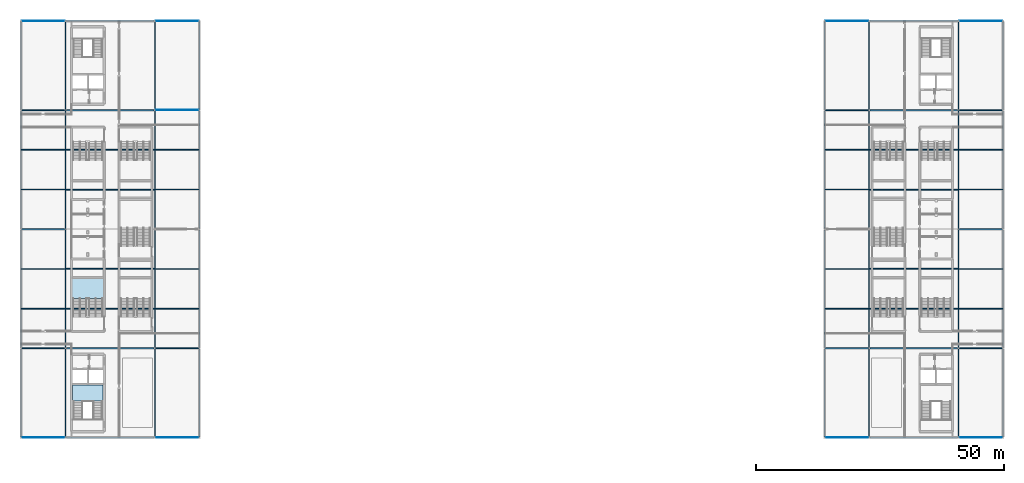
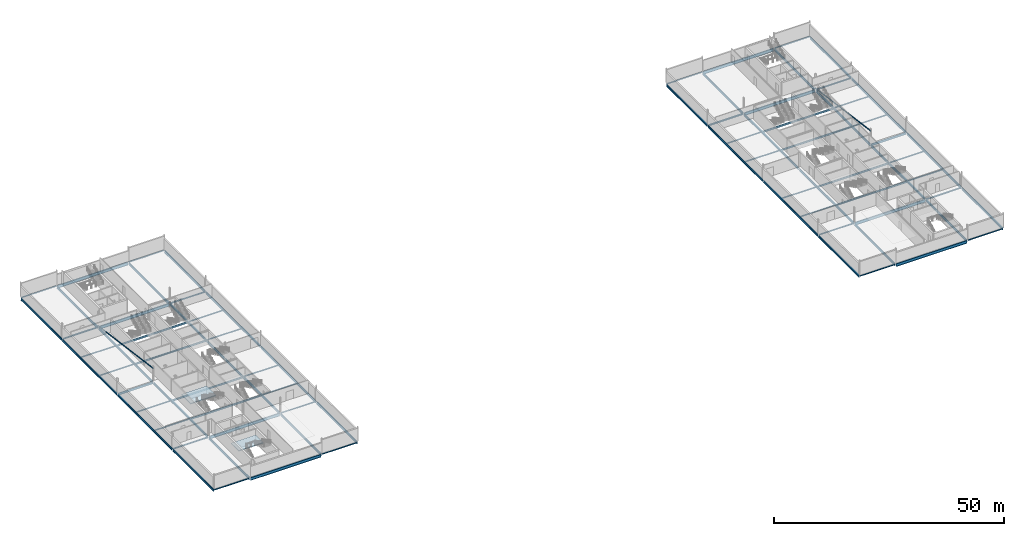
# One storey, part 12 of 30: 82 beams, 2 members, 2 slabs, 2 elements without a shape of their own.
"""IFC4 building model written with IfcOpenShell, lengths in metres."""

from ifc_helpers import new_model, si_unit, direction, frame, origin, origin_2d, place, context, subcontext, project, spatial, polyline, hollow_rectangle, hollow_circle, i_section, u_section, outline, extrude, material, layer, layer_set, material_profile, profile_set, type_object, element, aggregate, save


model = new_model("IFC4")

# Units and contexts
model_context = context("Model", 3, precision=1e-05, world=origin(), true_north=direction((0.0, 1.0)))
body_context = subcontext(model_context, "Body", "Model", "MODEL_VIEW")
ifc_project = project(units=[si_unit("LENGTHUNIT", "METRE"), si_unit("AREAUNIT", "SQUARE_METRE"), si_unit("VOLUMEUNIT", "CUBIC_METRE"), si_unit("PLANEANGLEUNIT", "RADIAN"), si_unit("MASSUNIT", "GRAM", prefix="KILO")], contexts=[model_context])

# Site, building, storey
site_placement = place(None, origin())
site = spatial("IfcSite", under=ifc_project, at=site_placement, CompositionType="ELEMENT")
building_placement = place(site_placement, origin())
building = spatial("IfcBuilding", under=site, at=building_placement, Name="Kisiwana Market Hall", CompositionType="ELEMENT")
storey_placement = place(building_placement, frame((0.0, 0.0, 54.0)))
storey = spatial("IfcBuildingStorey", under=building, at=storey_placement, Name="L12", CompositionType="ELEMENT", Elevation=54.0)

# Beams
ifc_material_1 = material(Name="Steel S355", Category="steel")
ifc_material_profile_1 = material_profile(ifc_material_1, i_section(OverallWidth=0.260009765625, OverallDepth=0.260009765625, WebThickness=0.010009765625, FlangeThickness=0.017578125, FilletRadius=0.02392578125, at=origin_2d()), Name="HEB 260")
ifc_profile_set_1 = profile_set([ifc_material_profile_1], Name="Steel S355")
beam_type_1 = type_object("IfcBeamType", Name="BM-GIRD-HEB260", PredefinedType="BEAM", material=ifc_profile_set_1)
beam_1_placement = place(storey_placement, frame((162.12548828125, 36.0, -0.375), z_axis=(1.0, 0.0, 0.0), x_axis=(0.0, 1.0, 0.0)))
element("IfcBeam", 1, at=beam_1_placement, inside=storey, type_object=beam_type_1, Name="Floor beam B-2605", PredefinedType="BEAM", context=body_context, shape_type="SweptSolid", body=[
    extrude(i_section(OverallWidth=0.260009765625, OverallDepth=0.260009765625, WebThickness=0.010009765625, FlangeThickness=0.017578125, FilletRadius=0.02392578125, at=origin_2d()), origin(), (0.0, 0.0, 1.0), 8.728515625),
])
ifc_material_2 = material(Name="Steel S355", Category="steel")
ifc_material_profile_2 = material_profile(ifc_material_2, i_section(OverallWidth=0.209228515625, OverallDepth=0.533203125, WebThickness=0.010009765625, FlangeThickness=0.015625, at=origin_2d()), Name="UB 533x210x92")
ifc_profile_set_2 = profile_set([ifc_material_profile_2], Name="Steel S355")
beam_type_2 = type_object("IfcBeamType", Name="BM-GIRD-UB533", PredefinedType="BEAM", material=ifc_profile_set_2)
for number, where, z_axis, x_axis, name in (
    (2, (0.12548828125, 60.0, -0.511474609375), (1.0, 0.0, 0.0), (0.0, 1.0, 0.0), "Primary girder B-2554"),
    (3, (189.14599609375, 60.0, -0.511474609375), (1.0, 0.0, 0.0), (0.0, 1.0, 0.0), "Primary girder B-2555"),
):
    element("IfcBeam", number, at=place(storey_placement, frame(where, z_axis=z_axis, x_axis=x_axis)), inside=storey, type_object=beam_type_2, Name=name, PredefinedType="BEAM", context=body_context, shape_type="SweptSolid", body=[
        extrude(i_section(OverallWidth=0.209228515625, OverallDepth=0.533203125, WebThickness=0.010009765625, FlangeThickness=0.015625, at=origin_2d()), origin(), (0.0, 0.0, 1.0), 8.728515625),
    ])
ifc_material_3 = material(Name="Steel S355", Category="steel")
ifc_material_profile_3 = material_profile(ifc_material_3, i_section(OverallWidth=0.22900390625, OverallDepth=0.6123046875, WebThickness=0.011962890625, FlangeThickness=0.01953125, at=origin_2d()), Name="UB 610x229x125")
ifc_profile_set_3 = profile_set([ifc_material_profile_3], Name="Steel S355")
beam_type_3 = type_object("IfcBeamType", Name="BM-GIRD-UB610H", PredefinedType="BEAM", material=ifc_profile_set_3)
beam_2_placement = place(storey_placement, frame((0.0, 18.12939453125, -0.551025390625), z_axis=(0.0, 1.0, 0.0), x_axis=(-1.0, 0.0, 0.0)))
element("IfcBeam", 4, at=beam_2_placement, inside=storey, type_object=beam_type_3, Name="Floor beam B-2620", PredefinedType="BEAM", context=body_context, shape_type="SweptSolid", body=[
    extrude(i_section(OverallWidth=0.22900390625, OverallDepth=0.6123046875, WebThickness=0.011962890625, FlangeThickness=0.01953125, at=origin_2d()), origin(), (0.0, 0.0, 1.0), 17.7412109375),
])
for number, where, z_axis, x_axis, name in (
    (5, (0.0, 36.12939453125, -0.551025390625), (0.0, 1.0, 0.0), (-1.0, 0.0, 0.0), "Floor beam B-2621"),
    (6, (0.0, 60.12939453125, -0.551025390625), (0.0, 1.0, 0.0), (-1.0, 0.0, 0.0), "Floor beam B-2622"),
):
    element("IfcBeam", number, at=place(storey_placement, frame(where, z_axis=z_axis, x_axis=x_axis)), inside=storey, type_object=beam_type_3, Name=name, PredefinedType="BEAM", context=body_context, shape_type="SweptSolid", body=[
        extrude(i_section(OverallWidth=0.22900390625, OverallDepth=0.6123046875, WebThickness=0.011962890625, FlangeThickness=0.01953125, at=origin_2d()), origin(), (0.0, 0.0, 1.0), 23.7412109375),
    ])
beam_3_placement = place(storey_placement, frame((0.0, 84.12939453125, -0.551025390625), z_axis=(0.0, 1.0, 0.0), x_axis=(-1.0, 0.0, 0.0)))
element("IfcBeam", 7, at=beam_3_placement, inside=storey, type_object=beam_type_3, Name="Floor beam B-2623", PredefinedType="BEAM", context=body_context, shape_type="SweptSolid", body=[
    extrude(i_section(OverallWidth=0.22900390625, OverallDepth=0.6123046875, WebThickness=0.011962890625, FlangeThickness=0.01953125, at=origin_2d()), origin(), (0.0, 0.0, 1.0), 17.7412109375),
])
for number, where, z_axis, x_axis, name in (
    (8, (27.0, 36.14599609375, -0.551025390625), (0.0, 1.0, 0.0), (-1.0, 0.0, 0.0), "Floor beam B-2624"),
    (9, (27.0, 60.14599609375, -0.551025390625), (0.0, 1.0, 0.0), (-1.0, 0.0, 0.0), "Floor beam B-2625"),
):
    element("IfcBeam", number, at=place(storey_placement, frame(where, z_axis=z_axis, x_axis=x_axis)), inside=storey, type_object=beam_type_3, Name=name, PredefinedType="BEAM", context=body_context, shape_type="SweptSolid", body=[
        extrude(i_section(OverallWidth=0.22900390625, OverallDepth=0.6123046875, WebThickness=0.011962890625, FlangeThickness=0.01953125, at=origin_2d()), origin(), (0.0, 0.0, 1.0), 23.7080078125),
    ])
for number, where, z_axis, x_axis, name in (
    (10, (36.0, 18.12939453125, -0.551025390625), (0.0, 1.0, 0.0), (-1.0, 0.0, 0.0), "Floor beam B-2626"),
    (11, (36.0, 84.12939453125, -0.551025390625), (0.0, 1.0, 0.0), (-1.0, 0.0, 0.0), "Floor beam B-2627"),
    (12, (162.0, 18.12939453125, -0.551025390625), (0.0, 1.0, 0.0), (-1.0, 0.0, 0.0), "Floor beam B-2628"),
    (13, (162.0, 84.12939453125, -0.551025390625), (0.0, 1.0, 0.0), (-1.0, 0.0, 0.0), "Floor beam B-2629"),
):
    element("IfcBeam", number, at=place(storey_placement, frame(where, z_axis=z_axis, x_axis=x_axis)), inside=storey, type_object=beam_type_3, Name=name, PredefinedType="BEAM", context=body_context, shape_type="SweptSolid", body=[
        extrude(i_section(OverallWidth=0.22900390625, OverallDepth=0.6123046875, WebThickness=0.011962890625, FlangeThickness=0.01953125, at=origin_2d()), origin(), (0.0, 0.0, 1.0), 17.7412109375),
    ])
for number, where, z_axis, x_axis, name in (
    (14, (171.0, 36.14599609375, -0.551025390625), (0.0, 1.0, 0.0), (-1.0, 0.0, 0.0), "Floor beam B-2630"),
    (15, (171.0, 60.14599609375, -0.551025390625), (0.0, 1.0, 0.0), (-1.0, 0.0, 0.0), "Floor beam B-2631"),
):
    element("IfcBeam", number, at=place(storey_placement, frame(where, z_axis=z_axis, x_axis=x_axis)), inside=storey, type_object=beam_type_3, Name=name, PredefinedType="BEAM", context=body_context, shape_type="SweptSolid", body=[
        extrude(i_section(OverallWidth=0.22900390625, OverallDepth=0.6123046875, WebThickness=0.011962890625, FlangeThickness=0.01953125, at=origin_2d()), origin(), (0.0, 0.0, 1.0), 23.7080078125),
    ])
beam_4_placement = place(storey_placement, frame((198.0, 18.12939453125, -0.551025390625), z_axis=(0.0, 1.0, 0.0), x_axis=(-1.0, 0.0, 0.0)))
element("IfcBeam", 16, at=beam_4_placement, inside=storey, type_object=beam_type_3, Name="Floor beam B-2632", PredefinedType="BEAM", context=body_context, shape_type="SweptSolid", body=[
    extrude(i_section(OverallWidth=0.22900390625, OverallDepth=0.6123046875, WebThickness=0.011962890625, FlangeThickness=0.01953125, at=origin_2d()), origin(), (0.0, 0.0, 1.0), 17.7412109375),
])
for number, where, z_axis, x_axis, name in (
    (17, (198.0, 36.12939453125, -0.551025390625), (0.0, 1.0, 0.0), (-1.0, 0.0, 0.0), "Floor beam B-2633"),
    (18, (198.0, 60.12939453125, -0.551025390625), (0.0, 1.0, 0.0), (-1.0, 0.0, 0.0), "Floor beam B-2634"),
):
    element("IfcBeam", number, at=place(storey_placement, frame(where, z_axis=z_axis, x_axis=x_axis)), inside=storey, type_object=beam_type_3, Name=name, PredefinedType="BEAM", context=body_context, shape_type="SweptSolid", body=[
        extrude(i_section(OverallWidth=0.22900390625, OverallDepth=0.6123046875, WebThickness=0.011962890625, FlangeThickness=0.01953125, at=origin_2d()), origin(), (0.0, 0.0, 1.0), 23.7412109375),
    ])
beam_5_placement = place(storey_placement, frame((198.0, 84.12939453125, -0.551025390625), z_axis=(0.0, 1.0, 0.0), x_axis=(-1.0, 0.0, 0.0)))
element("IfcBeam", 19, at=beam_5_placement, inside=storey, type_object=beam_type_3, Name="Floor beam B-2635", PredefinedType="BEAM", context=body_context, shape_type="SweptSolid", body=[
    extrude(i_section(OverallWidth=0.22900390625, OverallDepth=0.6123046875, WebThickness=0.011962890625, FlangeThickness=0.01953125, at=origin_2d()), origin(), (0.0, 0.0, 1.0), 17.7412109375),
])
beam_6_placement = place(storey_placement, frame((9.0, 18.14599609375, -0.551025390625), z_axis=(0.0, 1.0, 0.0), x_axis=(-1.0, 0.0, 0.0)))
element("IfcBeam", 20, at=beam_6_placement, inside=storey, type_object=beam_type_3, Name="Primary girder B-2556", PredefinedType="BEAM", context=body_context, shape_type="SweptSolid", body=[
    extrude(i_section(OverallWidth=0.22900390625, OverallDepth=0.6123046875, WebThickness=0.011962890625, FlangeThickness=0.01953125, at=origin_2d()), origin(), (0.0, 0.0, 1.0), 17.7080078125),
])
for number, where, z_axis, x_axis, name in (
    (21, (9.0, 36.14599609375, -0.551025390625), (0.0, 1.0, 0.0), (-1.0, 0.0, 0.0), "Primary girder B-2557"),
    (22, (9.0, 60.14599609375, -0.551025390625), (0.0, 1.0, 0.0), (-1.0, 0.0, 0.0), "Primary girder B-2558"),
):
    element("IfcBeam", number, at=place(storey_placement, frame(where, z_axis=z_axis, x_axis=x_axis)), inside=storey, type_object=beam_type_3, Name=name, PredefinedType="BEAM", context=body_context, shape_type="SweptSolid", body=[
        extrude(i_section(OverallWidth=0.22900390625, OverallDepth=0.6123046875, WebThickness=0.011962890625, FlangeThickness=0.01953125, at=origin_2d()), origin(), (0.0, 0.0, 1.0), 23.7080078125),
    ])
for number, where, z_axis, x_axis, name in (
    (23, (9.0, 84.14599609375, -0.551025390625), (0.0, 1.0, 0.0), (-1.0, 0.0, 0.0), "Primary girder B-2559"),
    (24, (27.0, 18.14599609375, -0.551025390625), (0.0, 1.0, 0.0), (-1.0, 0.0, 0.0), "Primary girder B-2560"),
    (25, (27.0, 84.14599609375, -0.551025390625), (0.0, 1.0, 0.0), (-1.0, 0.0, 0.0), "Primary girder B-2561"),
):
    element("IfcBeam", number, at=place(storey_placement, frame(where, z_axis=z_axis, x_axis=x_axis)), inside=storey, type_object=beam_type_3, Name=name, PredefinedType="BEAM", context=body_context, shape_type="SweptSolid", body=[
        extrude(i_section(OverallWidth=0.22900390625, OverallDepth=0.6123046875, WebThickness=0.011962890625, FlangeThickness=0.01953125, at=origin_2d()), origin(), (0.0, 0.0, 1.0), 17.7080078125),
    ])
for number, where, z_axis, x_axis, name in (
    (26, (36.0, 36.12939453125, -0.551025390625), (0.0, 1.0, 0.0), (-1.0, 0.0, 0.0), "Primary girder B-2562"),
    (27, (36.0, 60.12939453125, -0.551025390625), (0.0, 1.0, 0.0), (-1.0, 0.0, 0.0), "Primary girder B-2563"),
    (28, (162.0, 36.12939453125, -0.551025390625), (0.0, 1.0, 0.0), (-1.0, 0.0, 0.0), "Primary girder B-2564"),
    (29, (162.0, 60.12939453125, -0.551025390625), (0.0, 1.0, 0.0), (-1.0, 0.0, 0.0), "Primary girder B-2565"),
):
    element("IfcBeam", number, at=place(storey_placement, frame(where, z_axis=z_axis, x_axis=x_axis)), inside=storey, type_object=beam_type_3, Name=name, PredefinedType="BEAM", context=body_context, shape_type="SweptSolid", body=[
        extrude(i_section(OverallWidth=0.22900390625, OverallDepth=0.6123046875, WebThickness=0.011962890625, FlangeThickness=0.01953125, at=origin_2d()), origin(), (0.0, 0.0, 1.0), 23.7412109375),
    ])
for number, where, z_axis, x_axis, name in (
    (30, (171.0, 18.14599609375, -0.551025390625), (0.0, 1.0, 0.0), (-1.0, 0.0, 0.0), "Primary girder B-2566"),
    (31, (171.0, 84.14599609375, -0.551025390625), (0.0, 1.0, 0.0), (-1.0, 0.0, 0.0), "Primary girder B-2567"),
    (32, (189.0, 18.14599609375, -0.551025390625), (0.0, 1.0, 0.0), (-1.0, 0.0, 0.0), "Primary girder B-2568"),
):
    element("IfcBeam", number, at=place(storey_placement, frame(where, z_axis=z_axis, x_axis=x_axis)), inside=storey, type_object=beam_type_3, Name=name, PredefinedType="BEAM", context=body_context, shape_type="SweptSolid", body=[
        extrude(i_section(OverallWidth=0.22900390625, OverallDepth=0.6123046875, WebThickness=0.011962890625, FlangeThickness=0.01953125, at=origin_2d()), origin(), (0.0, 0.0, 1.0), 17.7080078125),
    ])
for number, where, z_axis, x_axis, name in (
    (33, (189.0, 36.14599609375, -0.551025390625), (0.0, 1.0, 0.0), (-1.0, 0.0, 0.0), "Primary girder B-2569"),
    (34, (189.0, 60.14599609375, -0.551025390625), (0.0, 1.0, 0.0), (-1.0, 0.0, 0.0), "Primary girder B-2570"),
):
    element("IfcBeam", number, at=place(storey_placement, frame(where, z_axis=z_axis, x_axis=x_axis)), inside=storey, type_object=beam_type_3, Name=name, PredefinedType="BEAM", context=body_context, shape_type="SweptSolid", body=[
        extrude(i_section(OverallWidth=0.22900390625, OverallDepth=0.6123046875, WebThickness=0.011962890625, FlangeThickness=0.01953125, at=origin_2d()), origin(), (0.0, 0.0, 1.0), 23.7080078125),
    ])
beam_7_placement = place(storey_placement, frame((189.0, 84.14599609375, -0.551025390625), z_axis=(0.0, 1.0, 0.0), x_axis=(-1.0, 0.0, 0.0)))
element("IfcBeam", 35, at=beam_7_placement, inside=storey, type_object=beam_type_3, Name="Primary girder B-2571", PredefinedType="BEAM", context=body_context, shape_type="SweptSolid", body=[
    extrude(i_section(OverallWidth=0.22900390625, OverallDepth=0.6123046875, WebThickness=0.011962890625, FlangeThickness=0.01953125, at=origin_2d()), origin(), (0.0, 0.0, 1.0), 17.7080078125),
])
ifc_material_4 = material(Name="Steel S355", Category="steel")
ifc_material_profile_4 = material_profile(ifc_material_4, i_section(OverallWidth=0.2666015625, OverallDepth=0.76220703125, WebThickness=0.014404296875, FlangeThickness=0.021484375, at=origin_2d()), Name="UB 762x267x173")
ifc_profile_set_4 = profile_set([ifc_material_profile_4], Name="Steel S355")
beam_type_4 = type_object("IfcBeamType", Name="BM-GIRD-UB762", PredefinedType="BEAM", material=ifc_profile_set_4)
for number, where, z_axis, x_axis, name in (
    (36, (9.14599609375, 18.0, -0.626220703125), (1.0, 0.0, 0.0), (0.0, 1.0, 0.0), "Floor beam B-2597"),
    (37, (171.14599609375, 18.0, -0.626220703125), (1.0, 0.0, 0.0), (0.0, 1.0, 0.0), "Floor beam B-2600"),
    (38, (9.14599609375, 36.0, -0.626220703125), (1.0, 0.0, 0.0), (0.0, 1.0, 0.0), "Floor beam B-2603"),
    (39, (171.14599609375, 36.0, -0.626220703125), (1.0, 0.0, 0.0), (0.0, 1.0, 0.0), "Floor beam B-2606"),
    (40, (9.14599609375, 84.0, -0.626220703125), (1.0, 0.0, 0.0), (0.0, 1.0, 0.0), "Floor beam B-2609"),
    (41, (171.14599609375, 84.0, -0.626220703125), (1.0, 0.0, 0.0), (0.0, 1.0, 0.0), "Floor beam B-2612"),
    (42, (9.14599609375, 102.0, -0.626220703125), (1.0, 0.0, 0.0), (0.0, 1.0, 0.0), "Floor beam B-2615"),
    (43, (171.14599609375, 102.0, -0.626220703125), (1.0, 0.0, 0.0), (0.0, 1.0, 0.0), "Floor beam B-2618"),
):
    element("IfcBeam", number, at=place(storey_placement, frame(where, z_axis=z_axis, x_axis=x_axis)), inside=storey, type_object=beam_type_4, Name=name, PredefinedType="BEAM", context=body_context, shape_type="SweptSolid", body=[
        extrude(i_section(OverallWidth=0.2666015625, OverallDepth=0.76220703125, WebThickness=0.014404296875, FlangeThickness=0.021484375, at=origin_2d()), origin(), (0.0, 0.0, 1.0), 17.7080078125),
    ])
ifc_material_5 = material(Name="Steel S355", Category="steel")
ifc_material_profile_5 = material_profile(ifc_material_5, i_section(OverallWidth=0.135009765625, OverallDepth=0.27001953125, WebThickness=0.006591796875, FlangeThickness=0.01025390625, FilletRadius=0.014892578125, at=origin_2d()), Name="IPE 270")
ifc_profile_set_5 = profile_set([ifc_material_profile_5], Name="Steel S355")
beam_type_5 = type_object("IfcBeamType", Name="BM-JOIST-IPE270", PredefinedType="JOIST", material=ifc_profile_set_5)
beam_8_placement = place(storey_placement, frame((189.14599609375, 36.0, -0.3798828125), z_axis=(1.0, 0.0, 0.0), x_axis=(0.0, 1.0, 0.0)))
element("IfcBeam", 44, at=beam_8_placement, inside=storey, type_object=beam_type_5, Name="Floor beam B-2607", PredefinedType="JOIST", context=body_context, shape_type="SweptSolid", body=[
    extrude(i_section(OverallWidth=0.135009765625, OverallDepth=0.27001953125, WebThickness=0.006591796875, FlangeThickness=0.01025390625, FilletRadius=0.014892578125, at=origin_2d()), origin(), (0.0, 0.0, 1.0), 8.728515625),
])
ifc_material_6 = material(Name="Steel S355", Category="steel")
ifc_material_profile_6 = material_profile(ifc_material_6, i_section(OverallWidth=0.146484375, OverallDepth=0.256103515625, WebThickness=0.00634765625, FlangeThickness=0.010986328125, at=origin_2d()), Name="UB 254x146x37")
ifc_profile_set_6 = profile_set([ifc_material_profile_6], Name="Steel S355")
beam_type_6 = type_object("IfcBeamType", Name="BM-JOIST-UB254", PredefinedType="JOIST", material=ifc_profile_set_6)
beam_9_placement = place(storey_placement, frame((0.12548828125, 84.0, -0.373046875), z_axis=(1.0, 0.0, 0.0), x_axis=(0.0, 1.0, 0.0)))
element("IfcBeam", 45, at=beam_9_placement, inside=storey, type_object=beam_type_6, Name="Floor beam B-2608", PredefinedType="JOIST", context=body_context, shape_type="SweptSolid", body=[
    extrude(i_section(OverallWidth=0.146484375, OverallDepth=0.256103515625, WebThickness=0.00634765625, FlangeThickness=0.010986328125, at=origin_2d()), origin(), (0.0, 0.0, 1.0), 8.728515625),
])
ifc_material_7 = material(Name="Steel S355", Category="steel")
ifc_material_profile_7 = material_profile(ifc_material_7, i_section(OverallWidth=0.1650390625, OverallDepth=0.303466796875, WebThickness=0.006103515625, FlangeThickness=0.01025390625, at=origin_2d()), Name="UB 305x165x40")
ifc_profile_set_7 = profile_set([ifc_material_profile_7], Name="Steel S355")
beam_type_7 = type_object("IfcBeamType", Name="BM-JOIST-UB305", PredefinedType="JOIST", material=ifc_profile_set_7)
beam_10_placement = place(storey_placement, frame((27.14599609375, 36.0, -0.396728515625), z_axis=(1.0, 0.0, 0.0), x_axis=(0.0, 1.0, 0.0)))
element("IfcBeam", 46, at=beam_10_placement, inside=storey, type_object=beam_type_7, Name="Floor beam B-2604", PredefinedType="JOIST", context=body_context, shape_type="SweptSolid", body=[
    extrude(i_section(OverallWidth=0.1650390625, OverallDepth=0.303466796875, WebThickness=0.006103515625, FlangeThickness=0.01025390625, at=origin_2d()), origin(), (0.0, 0.0, 1.0), 8.728515625),
])
ifc_material_8 = material(Name="Steel S355", Category="steel")
ifc_material_profile_8 = material_profile(ifc_material_8, i_section(OverallWidth=0.165771484375, OverallDepth=0.306640625, WebThickness=0.006591796875, FlangeThickness=0.01171875, at=origin_2d()), Name="UB 305x165x46")
ifc_profile_set_8 = profile_set([ifc_material_profile_8], Name="Steel S355")
beam_type_8 = type_object("IfcBeamType", Name="BM-JOIST-UB305H", PredefinedType="JOIST", material=ifc_profile_set_8)
for number, where, z_axis, x_axis, name in (
    (47, (0.113525390625, 44.0, -0.398193359375), (1.0, 0.0, 0.0), (0.0, 1.0, 0.0), "Secondary floor joist B-2572"),
    (48, (27.113525390625, 44.0, -0.398193359375), (1.0, 0.0, 0.0), (0.0, 1.0, 0.0), "Secondary floor joist B-2574"),
    (49, (162.113525390625, 44.0, -0.398193359375), (1.0, 0.0, 0.0), (0.0, 1.0, 0.0), "Secondary floor joist B-2575"),
    (50, (189.113525390625, 44.0, -0.398193359375), (1.0, 0.0, 0.0), (0.0, 1.0, 0.0), "Secondary floor joist B-2577"),
    (51, (0.113525390625, 52.0, -0.398193359375), (1.0, 0.0, 0.0), (0.0, 1.0, 0.0), "Secondary floor joist B-2578"),
    (52, (27.113525390625, 52.0, -0.398193359375), (1.0, 0.0, 0.0), (0.0, 1.0, 0.0), "Secondary floor joist B-2580"),
    (53, (162.113525390625, 52.0, -0.398193359375), (1.0, 0.0, 0.0), (0.0, 1.0, 0.0), "Secondary floor joist B-2581"),
    (54, (189.113525390625, 52.0, -0.398193359375), (1.0, 0.0, 0.0), (0.0, 1.0, 0.0), "Secondary floor joist B-2583"),
    (55, (0.113525390625, 68.0, -0.398193359375), (1.0, 0.0, 0.0), (0.0, 1.0, 0.0), "Secondary floor joist B-2584"),
    (56, (27.113525390625, 68.0, -0.398193359375), (1.0, 0.0, 0.0), (0.0, 1.0, 0.0), "Secondary floor joist B-2586"),
    (57, (162.113525390625, 68.0, -0.398193359375), (1.0, 0.0, 0.0), (0.0, 1.0, 0.0), "Secondary floor joist B-2587"),
    (58, (189.113525390625, 68.0, -0.398193359375), (1.0, 0.0, 0.0), (0.0, 1.0, 0.0), "Secondary floor joist B-2589"),
    (59, (0.113525390625, 76.0, -0.398193359375), (1.0, 0.0, 0.0), (0.0, 1.0, 0.0), "Secondary floor joist B-2590"),
    (60, (27.113525390625, 76.0, -0.398193359375), (1.0, 0.0, 0.0), (0.0, 1.0, 0.0), "Secondary floor joist B-2592"),
    (61, (162.113525390625, 76.0, -0.398193359375), (1.0, 0.0, 0.0), (0.0, 1.0, 0.0), "Secondary floor joist B-2593"),
    (62, (189.113525390625, 76.0, -0.398193359375), (1.0, 0.0, 0.0), (0.0, 1.0, 0.0), "Secondary floor joist B-2595"),
):
    element("IfcBeam", number, at=place(storey_placement, frame(where, z_axis=z_axis, x_axis=x_axis)), inside=storey, type_object=beam_type_8, Name=name, PredefinedType="JOIST", context=body_context, shape_type="SweptSolid", body=[
        extrude(i_section(OverallWidth=0.165771484375, OverallDepth=0.306640625, WebThickness=0.006591796875, FlangeThickness=0.01171875, at=origin_2d()), origin(), (0.0, 0.0, 1.0), 8.77294921875),
    ])
ifc_material_9 = material(Name="Steel S355", Category="steel")
ifc_material_profile_9 = material_profile(ifc_material_9, i_section(OverallWidth=0.17138671875, OverallDepth=0.35498046875, WebThickness=0.00732421875, FlangeThickness=0.011474609375, at=origin_2d()), Name="UB 356x171x51")
ifc_profile_set_9 = profile_set([ifc_material_profile_9], Name="Steel S355")
beam_type_9 = type_object("IfcBeamType", Name="BM-JOIST-UB356", PredefinedType="JOIST", material=ifc_profile_set_9)
for number, where, z_axis, x_axis, name in (
    (63, (0.12548828125, 36.0, -0.422607421875), (1.0, 0.0, 0.0), (0.0, 1.0, 0.0), "Floor beam B-2602"),
    (64, (189.14599609375, 84.0, -0.422607421875), (1.0, 0.0, 0.0), (0.0, 1.0, 0.0), "Floor beam B-2613"),
):
    element("IfcBeam", number, at=place(storey_placement, frame(where, z_axis=z_axis, x_axis=x_axis)), inside=storey, type_object=beam_type_9, Name=name, PredefinedType="JOIST", context=body_context, shape_type="SweptSolid", body=[
        extrude(i_section(OverallWidth=0.17138671875, OverallDepth=0.35498046875, WebThickness=0.00732421875, FlangeThickness=0.011474609375, at=origin_2d()), origin(), (0.0, 0.0, 1.0), 8.728515625),
    ])
ifc_material_10 = material(Name="Steel S355", Category="steel")
ifc_material_profile_10 = material_profile(ifc_material_10, i_section(OverallWidth=0.1787109375, OverallDepth=0.409423828125, WebThickness=0.0087890625, FlangeThickness=0.014404296875, at=origin_2d()), Name="UB 406x178x67")
ifc_profile_set_10 = profile_set([ifc_material_profile_10], Name="Steel S355")
beam_type_10 = type_object("IfcBeamType", Name="BM-JOIST-UB406H", PredefinedType="JOIST", material=ifc_profile_set_10)
beam_11_placement = place(storey_placement, frame((162.12548828125, 84.0, -0.44970703125), z_axis=(1.0, 0.0, 0.0), x_axis=(0.0, 1.0, 0.0)))
element("IfcBeam", 65, at=beam_11_placement, inside=storey, type_object=beam_type_10, Name="Floor beam B-2611", PredefinedType="JOIST", context=body_context, shape_type="SweptSolid", body=[
    extrude(i_section(OverallWidth=0.1787109375, OverallDepth=0.409423828125, WebThickness=0.0087890625, FlangeThickness=0.014404296875, at=origin_2d()), origin(), (0.0, 0.0, 1.0), 8.728515625),
])
ifc_material_11 = material(Name="Steel S355", Category="steel")
ifc_material_profile_11 = material_profile(ifc_material_11, i_section(OverallWidth=0.18994140625, OverallDepth=0.453369140625, WebThickness=0.008544921875, FlangeThickness=0.0126953125, at=origin_2d()), Name="UB 457x191x67")
ifc_profile_set_11 = profile_set([ifc_material_profile_11], Name="Steel S355")
beam_type_11 = type_object("IfcBeamType", Name="BM-JOIST-UB457", PredefinedType="JOIST", material=ifc_profile_set_11)
for number, where, z_axis, x_axis, name in (
    (66, (9.113525390625, 44.0, -0.4716796875), (1.0, 0.0, 0.0), (0.0, 1.0, 0.0), "Secondary floor joist B-2573"),
    (67, (171.113525390625, 44.0, -0.4716796875), (1.0, 0.0, 0.0), (0.0, 1.0, 0.0), "Secondary floor joist B-2576"),
    (68, (9.113525390625, 52.0, -0.4716796875), (1.0, 0.0, 0.0), (0.0, 1.0, 0.0), "Secondary floor joist B-2579"),
    (69, (171.113525390625, 52.0, -0.4716796875), (1.0, 0.0, 0.0), (0.0, 1.0, 0.0), "Secondary floor joist B-2582"),
    (70, (9.113525390625, 68.0, -0.4716796875), (1.0, 0.0, 0.0), (0.0, 1.0, 0.0), "Secondary floor joist B-2585"),
    (71, (171.113525390625, 68.0, -0.4716796875), (1.0, 0.0, 0.0), (0.0, 1.0, 0.0), "Secondary floor joist B-2588"),
    (72, (9.113525390625, 76.0, -0.4716796875), (1.0, 0.0, 0.0), (0.0, 1.0, 0.0), "Secondary floor joist B-2591"),
    (73, (171.113525390625, 76.0, -0.4716796875), (1.0, 0.0, 0.0), (0.0, 1.0, 0.0), "Secondary floor joist B-2594"),
):
    element("IfcBeam", number, at=place(storey_placement, frame(where, z_axis=z_axis, x_axis=x_axis)), inside=storey, type_object=beam_type_11, Name=name, PredefinedType="JOIST", context=body_context, shape_type="SweptSolid", body=[
        extrude(i_section(OverallWidth=0.18994140625, OverallDepth=0.453369140625, WebThickness=0.008544921875, FlangeThickness=0.0126953125, at=origin_2d()), origin(), (0.0, 0.0, 1.0), 17.77294921875),
    ])
ifc_material_12 = material(Name="Steel S355", Category="steel")
ifc_material_profile_12 = material_profile(ifc_material_12, u_section(Depth=0.300048828125, FlangeWidth=0.10009765625, WebThickness=0.009033203125, FlangeThickness=0.0166015625, at=origin_2d()), Name="PFC 300x100x46")
ifc_profile_set_12 = profile_set([ifc_material_profile_12], Name="Steel S355")
beam_type_12 = type_object("IfcBeamType", Name="BM-SPAN-PFC300", PredefinedType="SPANDREL", material=ifc_profile_set_12)
beam_12_placement = place(storey_placement, frame((27.14599609375, 84.0, -0.39501953125), z_axis=(1.0, 0.0, 0.0), x_axis=(0.0, 1.0, 0.0)))
element("IfcBeam", 74, at=beam_12_placement, inside=storey, type_object=beam_type_12, Name="Floor beam B-2610", PredefinedType="SPANDREL", context=body_context, shape_type="SweptSolid", body=[
    extrude(u_section(Depth=0.300048828125, FlangeWidth=0.10009765625, WebThickness=0.009033203125, FlangeThickness=0.0166015625, at=origin_2d()), origin(), (0.0, 0.0, 1.0), 8.728515625),
])
ifc_material_13 = material(Name="Steel S355", Category="steel")
ifc_material_profile_13 = material_profile(ifc_material_13, hollow_rectangle(XDim=0.10009765625, YDim=0.199951171875, WallThickness=0.008056640625, at=origin_2d()), Name="RHS 200x100x8.0")
ifc_profile_set_13 = profile_set([ifc_material_profile_13], Name="Steel S355")
beam_type_13 = type_object("IfcBeamType", Name="BM-SPAN-RHS200", PredefinedType="SPANDREL", material=ifc_profile_set_13)
for number, where, z_axis, x_axis, name in (
    (75, (0.12548828125, 18.0, -0.344970703125), (1.0, 0.0, 0.0), (0.0, 1.0, 0.0), "Floor beam B-2596"),
    (76, (27.14599609375, 18.0, -0.344970703125), (1.0, 0.0, 0.0), (0.0, 1.0, 0.0), "Floor beam B-2598"),
    (77, (162.12548828125, 18.0, -0.344970703125), (1.0, 0.0, 0.0), (0.0, 1.0, 0.0), "Floor beam B-2599"),
    (78, (189.14599609375, 18.0, -0.344970703125), (1.0, 0.0, 0.0), (0.0, 1.0, 0.0), "Floor beam B-2601"),
    (79, (0.12548828125, 102.0, -0.344970703125), (1.0, 0.0, 0.0), (0.0, 1.0, 0.0), "Floor beam B-2614"),
    (80, (27.14599609375, 102.0, -0.344970703125), (1.0, 0.0, 0.0), (0.0, 1.0, 0.0), "Floor beam B-2616"),
    (81, (162.12548828125, 102.0, -0.344970703125), (1.0, 0.0, 0.0), (0.0, 1.0, 0.0), "Floor beam B-2617"),
    (82, (189.14599609375, 102.0, -0.344970703125), (1.0, 0.0, 0.0), (0.0, 1.0, 0.0), "Floor beam B-2619"),
):
    element("IfcBeam", number, at=place(storey_placement, frame(where, z_axis=z_axis, x_axis=x_axis)), inside=storey, type_object=beam_type_13, Name=name, PredefinedType="SPANDREL", context=body_context, shape_type="SweptSolid", body=[
        extrude(hollow_rectangle(XDim=0.10009765625, YDim=0.199951171875, WallThickness=0.008056640625, at=origin_2d()), origin(), (0.0, 0.0, 1.0), 8.728515625),
    ])

# Members
ifc_material_14 = material(Name="Steel S355", Category="steel")
ifc_material_profile_14 = material_profile(ifc_material_14, hollow_circle(Radius=0.136474609375, WallThickness=0.012451171875, at=origin_2d()), Name="CHS 273.0x12.5")
ifc_profile_set_14 = profile_set([ifc_material_profile_14], Name="Steel S355")
member_type = type_object("IfcMemberType", Name="MB-CBF-CHS273", PredefinedType="BRACE", material=ifc_profile_set_14)
for number, where, z_axis, x_axis, name in (
    (83, (9.0, 84.0, 0.0), (0.0, -0.990982158685, 0.133993884819), (1.0, 0.0, 0.0), "CBF-W-S diagonal brace (L12) M-0043"),
    (84, (189.0, 84.0, 0.0), (0.0, -0.990982158685, 0.133993884819), (1.0, 0.0, 0.0), "CBF-E-S diagonal brace (L12) M-0044"),
):
    element("IfcMember", number, at=place(storey_placement, frame(where, z_axis=z_axis, x_axis=x_axis)), inside=storey, type_object=member_type, Name=name, PredefinedType="BRACE", context=body_context, shape_type="SweptSolid", body=[
        extrude(hollow_circle(Radius=0.136474609375, WallThickness=0.012451171875, at=origin_2d()), origin(), (0.0, 0.0, 1.0), 24.218505859375),
    ])

# Stair, slab
ifc_material_15 = material(Name="Concrete C32/40", Category="concrete")
stair_type_1 = type_object("IfcStairType", Name="ST-TWR-3900", PredefinedType="TWO_STRAIGHT_RUN_STAIR", material=ifc_material_15)
stair_1_placement = place(storey_placement, origin())
stair_1 = element("IfcStair", 85, at=stair_1_placement, inside=storey, type_object=stair_type_1, Name="Escape stair ST-W2-L12", PredefinedType="TWO_STRAIGHT_RUN_STAIR")
ifc_material_16 = material(Name="Concrete C32/40", Category="concrete")
ifc_layer = layer(ifc_material_16, 0.239990234375)
ifc_layer_set = layer_set([ifc_layer], Name="SL-LANDING-160")
slab_type = type_object("IfcSlabType", Name="SL-LANDING-160", PredefinedType="LANDING", material=ifc_layer_set)
slab_1_placement = place(storey_placement, frame((0.0, 0.0, 1.7099609375)))
slab_1 = element("IfcSlab", 86, at=slab_1_placement, type_object=slab_type, Name="ST-W2-L12 landing 1 S-414", PredefinedType="LANDING", context=body_context, shape_type="SweptSolid", body=[
    extrude(outline(polyline([(10.405029296875, 25.333984375), (16.594970703125, 25.333984375), (16.594970703125, 28.64501953125), (10.405029296875, 28.64501953125), (10.405029296875, 25.333984375)])), origin(), (0.0, 0.0, 1.0), 0.239990234375),
])
aggregate(stair_1, [slab_1])

ifc_material_17 = material(Name="Concrete C32/40", Category="concrete")
stair_type_2 = type_object("IfcStairType", Name="ST-ESC-3900", PredefinedType="TWO_STRAIGHT_RUN_STAIR", material=ifc_material_17)
stair_2_placement = place(storey_placement, origin())
stair_2 = element("IfcStair", 87, at=stair_2_placement, inside=storey, type_object=stair_type_2, Name="Escape stair ST-W3-L12", PredefinedType="TWO_STRAIGHT_RUN_STAIR")
slab_2_placement = place(storey_placement, frame((0.0, 0.0, 1.7099609375)))
slab_2 = element("IfcSlab", 88, at=slab_2_placement, type_object=slab_type, Name="ST-W3-L12 landing 1 S-415", PredefinedType="LANDING", context=body_context, shape_type="SweptSolid", body=[
    extrude(outline(polyline([(10.340087890625, 46.01953125), (16.659912109375, 46.01953125), (16.659912109375, 50.06005859375), (10.340087890625, 50.06005859375), (10.340087890625, 46.01953125)])), origin(), (0.0, 0.0, 1.0), 0.239990234375),
])
aggregate(stair_2, [slab_2])

save(model, "model.ifc")
